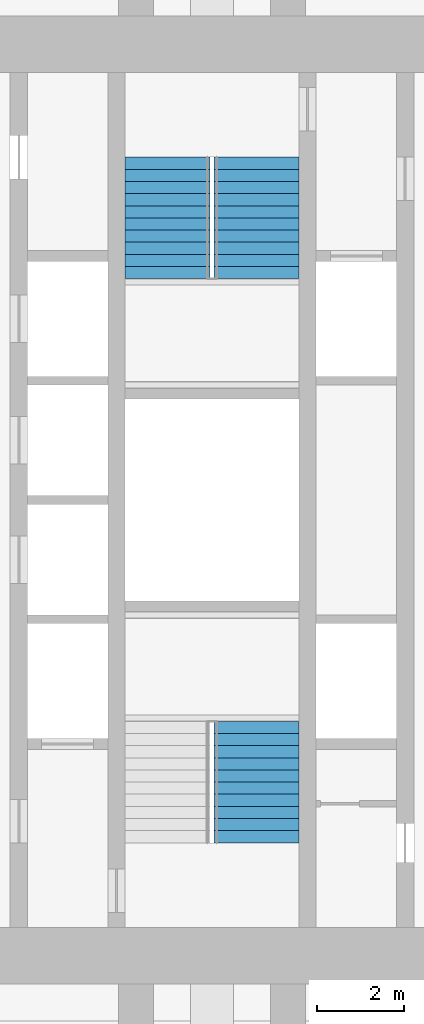
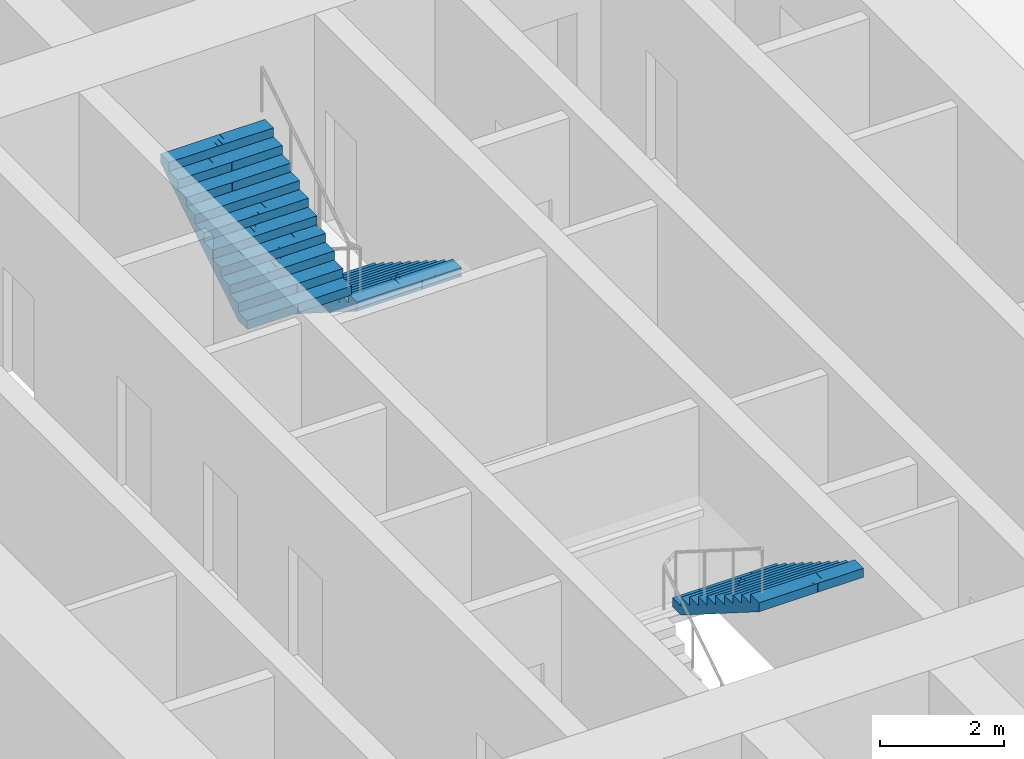
# One storey, part 20 of 21: 3 stair flights, 2 elements without a shape of their own.
"""IFC4 building model written with IfcOpenShell, lengths in metres."""

from ifc_helpers import new_model, si_unit, direction, frame, origin, place, context, subcontext, project, spatial, polyline, outline, extrude, material, type_object, element, aggregate, save


model = new_model("IFC4")

# Units and contexts
model_context = context("Model", 3, precision=1e-05, world=origin(), true_north=direction((0.0, 1.0)))
body_context = subcontext(model_context, "Body", "Model", "MODEL_VIEW")
ifc_project = project(units=[si_unit("LENGTHUNIT", "METRE"), si_unit("AREAUNIT", "SQUARE_METRE"), si_unit("VOLUMEUNIT", "CUBIC_METRE"), si_unit("PLANEANGLEUNIT", "RADIAN"), si_unit("MASSUNIT", "GRAM", prefix="KILO")], contexts=[model_context])

# Site, building, storey
site_placement = place(None, origin())
site = spatial("IfcSite", under=ifc_project, at=site_placement, CompositionType="ELEMENT")
building_placement = place(site_placement, origin())
building = spatial("IfcBuilding", under=site, at=building_placement, Name="Mizan Broadcast Tower", CompositionType="ELEMENT")
storey_placement = place(building_placement, frame((0.0, 0.0, 124.199951171875)))
storey = spatial("IfcBuildingStorey", under=building, at=storey_placement, Name="L27", CompositionType="ELEMENT", Elevation=124.199951171875)

# Stair, stair flight
ifc_material_1 = material(Name="Concrete C40/50", Category="concrete")
stair_type = type_object("IfcStairType", Name="EXIT STAIR", PredefinedType="HALF_TURN_STAIR", material=ifc_material_1)
stair_1_placement = place(storey_placement, origin())
stair_1 = element("IfcStair", 1, at=stair_1_placement, inside=storey, type_object=stair_type, Name="Stair A L27", PredefinedType="HALF_TURN_STAIR")
ifc_material_2 = material(Name="Concrete C40/50", Category="concrete")
stair_flight_type = type_object("IfcStairFlightType", Name="EXIT STAIR FLIGHT", PredefinedType="STRAIGHT", material=ifc_material_2)
stair_flight_1_placement = place(storey_placement, frame((1.02490234375, -5.10009765625, 1.949951171875), z_axis=(0.0, 0.0, 1.0), x_axis=(0.0, -1.0, 0.0)))
stair_flight_1 = element("IfcStairFlight", 2, at=stair_flight_1_placement, type_object=stair_flight_type, Name="A flight 2", NumberOfRisers=11, NumberOfTreads=10, PredefinedType="STRAIGHT", RiserHeight=0.177272727, TreadLength=0.28, context=body_context, shape_type="SweptSolid", body=[
    extrude(outline(polyline([(0.0, 0.0), (0.0, 0.17724609375), (0.280029296875, 0.17724609375), (0.280029296875, 0.3544921875), (0.56005859375, 0.3544921875), (0.56005859375, 0.53173828125), (0.840087890625, 0.53173828125), (0.840087890625, 0.708984375), (1.1201171875, 0.708984375), (1.1201171875, 0.886474609375), (1.39990234375, 0.886474609375), (1.39990234375, 1.063720703125), (1.679931640625, 1.063720703125), (1.679931640625, 1.240966796875), (1.9599609375, 1.240966796875), (1.9599609375, 1.418212890625), (2.239990234375, 1.418212890625), (2.239990234375, 1.595458984375), (2.52001953125, 1.595458984375), (2.52001953125, 1.772705078125), (2.800048828125, 1.772705078125), (2.800048828125, 1.949951171875), (2.800048828125, 1.59521484375), (0.2802734375, 0.0), (0.0, 0.0)])), frame((0.0, 0.97509765625, 0.0), z_axis=(0.0, -1.0, 0.0), x_axis=(1.0, 0.0, 0.0)), (0.0, 0.0, 1.0), 0.4873046875),
    extrude(outline(polyline([(0.0, 0.0), (0.0, 0.17724609375), (0.280029296875, 0.17724609375), (0.280029296875, 0.3544921875), (0.56005859375, 0.3544921875), (0.56005859375, 0.53173828125), (0.840087890625, 0.53173828125), (0.840087890625, 0.708984375), (1.1201171875, 0.708984375), (1.1201171875, 0.886474609375), (1.39990234375, 0.886474609375), (1.39990234375, 1.063720703125), (1.679931640625, 1.063720703125), (1.679931640625, 1.240966796875), (1.9599609375, 1.240966796875), (1.9599609375, 1.418212890625), (2.239990234375, 1.418212890625), (2.239990234375, 1.595458984375), (2.52001953125, 1.595458984375), (2.52001953125, 1.772705078125), (2.800048828125, 1.772705078125), (2.800048828125, 1.949951171875), (2.800048828125, 1.59521484375), (0.2802734375, 0.0), (0.0, 0.0)])), frame((0.0, 0.4873046875, 0.0), z_axis=(0.0, -1.0, 0.0), x_axis=(1.0, 0.0, 0.0)), (0.0, 0.0, 1.0), 0.2431640625),
    extrude(outline(polyline([(0.0, 0.0), (0.0, 0.17724609375), (0.280029296875, 0.17724609375), (0.280029296875, 0.3544921875), (0.56005859375, 0.3544921875), (0.56005859375, 0.53173828125), (0.840087890625, 0.53173828125), (0.840087890625, 0.708984375), (1.1201171875, 0.708984375), (1.1201171875, 0.886474609375), (1.39990234375, 0.886474609375), (1.39990234375, 1.063720703125), (1.679931640625, 1.063720703125), (1.679931640625, 1.240966796875), (1.9599609375, 1.240966796875), (1.9599609375, 1.418212890625), (2.239990234375, 1.418212890625), (2.239990234375, 1.595458984375), (2.52001953125, 1.595458984375), (2.52001953125, 1.772705078125), (2.800048828125, 1.772705078125), (2.800048828125, 1.949951171875), (2.800048828125, 1.59521484375), (0.2802734375, 0.0), (0.0, 0.0)])), frame((0.0, 0.24365234375, 0.0), z_axis=(0.0, -1.0, 0.0), x_axis=(1.0, 0.0, 0.0)), (0.0, 0.0, 1.0), 0.121337890625),
    extrude(outline(polyline([(0.0, 0.0), (0.0, 0.17724609375), (0.280029296875, 0.17724609375), (0.280029296875, 0.3544921875), (0.56005859375, 0.3544921875), (0.56005859375, 0.53173828125), (0.840087890625, 0.53173828125), (0.840087890625, 0.708984375), (1.1201171875, 0.708984375), (1.1201171875, 0.886474609375), (1.39990234375, 0.886474609375), (1.39990234375, 1.063720703125), (1.679931640625, 1.063720703125), (1.679931640625, 1.240966796875), (1.9599609375, 1.240966796875), (1.9599609375, 1.418212890625), (2.239990234375, 1.418212890625), (2.239990234375, 1.595458984375), (2.52001953125, 1.595458984375), (2.52001953125, 1.772705078125), (2.800048828125, 1.772705078125), (2.800048828125, 1.949951171875), (2.800048828125, 1.59521484375), (0.2802734375, 0.0), (0.0, 0.0)])), frame((0.0, 0.121826171875, 0.0), z_axis=(0.0, -1.0, 0.0), x_axis=(1.0, 0.0, 0.0)), (0.0, 0.0, 1.0), 0.060546875),
    extrude(outline(polyline([(0.0, 0.0), (0.0, 0.17724609375), (0.280029296875, 0.17724609375), (0.280029296875, 0.3544921875), (0.56005859375, 0.3544921875), (0.56005859375, 0.53173828125), (0.840087890625, 0.53173828125), (0.840087890625, 0.708984375), (1.1201171875, 0.708984375), (1.1201171875, 0.886474609375), (1.39990234375, 0.886474609375), (1.39990234375, 1.063720703125), (1.679931640625, 1.063720703125), (1.679931640625, 1.240966796875), (1.9599609375, 1.240966796875), (1.9599609375, 1.418212890625), (2.239990234375, 1.418212890625), (2.239990234375, 1.595458984375), (2.52001953125, 1.595458984375), (2.52001953125, 1.772705078125), (2.800048828125, 1.772705078125), (2.800048828125, 1.949951171875), (2.800048828125, 1.59521484375), (0.2802734375, 0.0), (0.0, 0.0)])), frame((0.0, 0.060791015625, 0.0), z_axis=(0.0, -1.0, 0.0), x_axis=(1.0, 0.0, 0.0)), (0.0, 0.0, 1.0), 0.030029296875),
    extrude(outline(polyline([(0.0, 0.0), (0.0, 0.17724609375), (0.280029296875, 0.17724609375), (0.280029296875, 0.3544921875), (0.56005859375, 0.3544921875), (0.56005859375, 0.53173828125), (0.840087890625, 0.53173828125), (0.840087890625, 0.708984375), (1.1201171875, 0.708984375), (1.1201171875, 0.886474609375), (1.39990234375, 0.886474609375), (1.39990234375, 1.063720703125), (1.679931640625, 1.063720703125), (1.679931640625, 1.240966796875), (1.9599609375, 1.240966796875), (1.9599609375, 1.418212890625), (2.239990234375, 1.418212890625), (2.239990234375, 1.595458984375), (2.52001953125, 1.595458984375), (2.52001953125, 1.772705078125), (2.800048828125, 1.772705078125), (2.800048828125, 1.949951171875), (2.800048828125, 1.59521484375), (0.2802734375, 0.0), (0.0, 0.0)])), frame((0.0, 0.0302734375, 0.0), z_axis=(0.0, -1.0, 0.0), x_axis=(1.0, 0.0, 0.0)), (0.0, 0.0, 1.0), 0.060302734375),
    extrude(outline(polyline([(0.0, 0.0), (0.0, 0.17724609375), (0.280029296875, 0.17724609375), (0.280029296875, 0.3544921875), (0.56005859375, 0.3544921875), (0.56005859375, 0.53173828125), (0.840087890625, 0.53173828125), (0.840087890625, 0.708984375), (1.1201171875, 0.708984375), (1.1201171875, 0.886474609375), (1.39990234375, 0.886474609375), (1.39990234375, 1.063720703125), (1.679931640625, 1.063720703125), (1.679931640625, 1.240966796875), (1.9599609375, 1.240966796875), (1.9599609375, 1.418212890625), (2.239990234375, 1.418212890625), (2.239990234375, 1.595458984375), (2.52001953125, 1.595458984375), (2.52001953125, 1.772705078125), (2.800048828125, 1.772705078125), (2.800048828125, 1.949951171875), (2.800048828125, 1.59521484375), (0.2802734375, 0.0), (0.0, 0.0)])), frame((0.0, -0.030517578125, 0.0), z_axis=(0.0, -1.0, 0.0), x_axis=(1.0, 0.0, 0.0)), (0.0, 0.0, 1.0), 0.030029296875),
    extrude(outline(polyline([(0.0, 0.0), (0.0, 0.17724609375), (0.280029296875, 0.17724609375), (0.280029296875, 0.3544921875), (0.56005859375, 0.3544921875), (0.56005859375, 0.53173828125), (0.840087890625, 0.53173828125), (0.840087890625, 0.708984375), (1.1201171875, 0.708984375), (1.1201171875, 0.886474609375), (1.39990234375, 0.886474609375), (1.39990234375, 1.063720703125), (1.679931640625, 1.063720703125), (1.679931640625, 1.240966796875), (1.9599609375, 1.240966796875), (1.9599609375, 1.418212890625), (2.239990234375, 1.418212890625), (2.239990234375, 1.595458984375), (2.52001953125, 1.595458984375), (2.52001953125, 1.772705078125), (2.800048828125, 1.772705078125), (2.800048828125, 1.949951171875), (2.800048828125, 1.59521484375), (0.2802734375, 0.0), (0.0, 0.0)])), frame((0.0, -0.06103515625, 0.0), z_axis=(0.0, -1.0, 0.0), x_axis=(1.0, 0.0, 0.0)), (0.0, 0.0, 1.0), 0.060546875),
    extrude(outline(polyline([(0.0, 0.0), (0.0, 0.17724609375), (0.280029296875, 0.17724609375), (0.280029296875, 0.3544921875), (0.56005859375, 0.3544921875), (0.56005859375, 0.53173828125), (0.840087890625, 0.53173828125), (0.840087890625, 0.708984375), (1.1201171875, 0.708984375), (1.1201171875, 0.886474609375), (1.39990234375, 0.886474609375), (1.39990234375, 1.063720703125), (1.679931640625, 1.063720703125), (1.679931640625, 1.240966796875), (1.9599609375, 1.240966796875), (1.9599609375, 1.418212890625), (2.239990234375, 1.418212890625), (2.239990234375, 1.595458984375), (2.52001953125, 1.595458984375), (2.52001953125, 1.772705078125), (2.800048828125, 1.772705078125), (2.800048828125, 1.949951171875), (2.800048828125, 1.59521484375), (0.2802734375, 0.0), (0.0, 0.0)])), frame((0.0, -0.1220703125, 0.0), z_axis=(0.0, -1.0, 0.0), x_axis=(1.0, 0.0, 0.0)), (0.0, 0.0, 1.0), 0.121337890625),
    extrude(outline(polyline([(0.0, 0.0), (0.0, 0.17724609375), (0.280029296875, 0.17724609375), (0.280029296875, 0.3544921875), (0.56005859375, 0.3544921875), (0.56005859375, 0.53173828125), (0.840087890625, 0.53173828125), (0.840087890625, 0.708984375), (1.1201171875, 0.708984375), (1.1201171875, 0.886474609375), (1.39990234375, 0.886474609375), (1.39990234375, 1.063720703125), (1.679931640625, 1.063720703125), (1.679931640625, 1.240966796875), (1.9599609375, 1.240966796875), (1.9599609375, 1.418212890625), (2.239990234375, 1.418212890625), (2.239990234375, 1.595458984375), (2.52001953125, 1.595458984375), (2.52001953125, 1.772705078125), (2.800048828125, 1.772705078125), (2.800048828125, 1.949951171875), (2.800048828125, 1.59521484375), (0.2802734375, 0.0), (0.0, 0.0)])), frame((0.0, -0.243896484375, 0.0), z_axis=(0.0, -1.0, 0.0), x_axis=(1.0, 0.0, 0.0)), (0.0, 0.0, 1.0), 0.2431640625),
    extrude(outline(polyline([(0.0, 0.0), (0.0, 0.17724609375), (0.280029296875, 0.17724609375), (0.280029296875, 0.3544921875), (0.56005859375, 0.3544921875), (0.56005859375, 0.53173828125), (0.840087890625, 0.53173828125), (0.840087890625, 0.708984375), (1.1201171875, 0.708984375), (1.1201171875, 0.886474609375), (1.39990234375, 0.886474609375), (1.39990234375, 1.063720703125), (1.679931640625, 1.063720703125), (1.679931640625, 1.240966796875), (1.9599609375, 1.240966796875), (1.9599609375, 1.418212890625), (2.239990234375, 1.418212890625), (2.239990234375, 1.595458984375), (2.52001953125, 1.595458984375), (2.52001953125, 1.772705078125), (2.800048828125, 1.772705078125), (2.800048828125, 1.949951171875), (2.800048828125, 1.59521484375), (0.2802734375, 0.0), (0.0, 0.0)])), frame((0.0, -0.487548828125, 0.0), z_axis=(0.0, -1.0, 0.0), x_axis=(1.0, 0.0, 0.0)), (0.0, 0.0, 1.0), 0.4873046875),
])
aggregate(stair_1, [stair_flight_1])

# Stair, stair flights
stair_2_placement = place(storey_placement, origin())
stair_2 = element("IfcStair", 3, at=stair_2_placement, inside=storey, type_object=stair_type, Name="Stair B L27", PredefinedType="HALF_TURN_STAIR")
stair_flight_2_placement = place(storey_placement, frame((1.02490234375, 7.89990234375, 0.0), z_axis=(0.0, 0.0, 1.0), x_axis=(0.0, -1.0, 0.0)))
stair_flight_2 = element("IfcStairFlight", 4, at=stair_flight_2_placement, type_object=stair_flight_type, Name="B flight 1", NumberOfRisers=11, NumberOfTreads=10, PredefinedType="STRAIGHT", RiserHeight=0.177272727, TreadLength=0.28, context=body_context, shape_type="SweptSolid", body=[
    extrude(outline(polyline([(0.0, 0.0), (0.0, 0.17724609375), (0.280029296875, 0.17724609375), (0.280029296875, 0.3544921875), (0.56005859375, 0.3544921875), (0.56005859375, 0.53173828125), (0.840087890625, 0.53173828125), (0.840087890625, 0.708984375), (1.1201171875, 0.708984375), (1.1201171875, 0.886474609375), (1.39990234375, 0.886474609375), (1.39990234375, 1.063720703125), (1.679931640625, 1.063720703125), (1.679931640625, 1.240966796875), (1.9599609375, 1.240966796875), (1.9599609375, 1.418212890625), (2.239990234375, 1.418212890625), (2.239990234375, 1.595458984375), (2.52001953125, 1.595458984375), (2.52001953125, 1.772705078125), (2.800048828125, 1.772705078125), (2.800048828125, 1.949951171875), (2.800048828125, 1.59521484375), (0.2802734375, 0.0), (0.0, 0.0)])), frame((0.0, 0.97509765625, 0.0), z_axis=(0.0, -1.0, 0.0), x_axis=(1.0, 0.0, 0.0)), (0.0, 0.0, 1.0), 0.4873046875),
    extrude(outline(polyline([(0.0, 0.0), (0.0, 0.17724609375), (0.280029296875, 0.17724609375), (0.280029296875, 0.3544921875), (0.56005859375, 0.3544921875), (0.56005859375, 0.53173828125), (0.840087890625, 0.53173828125), (0.840087890625, 0.708984375), (1.1201171875, 0.708984375), (1.1201171875, 0.886474609375), (1.39990234375, 0.886474609375), (1.39990234375, 1.063720703125), (1.679931640625, 1.063720703125), (1.679931640625, 1.240966796875), (1.9599609375, 1.240966796875), (1.9599609375, 1.418212890625), (2.239990234375, 1.418212890625), (2.239990234375, 1.595458984375), (2.52001953125, 1.595458984375), (2.52001953125, 1.772705078125), (2.800048828125, 1.772705078125), (2.800048828125, 1.949951171875), (2.800048828125, 1.59521484375), (0.2802734375, 0.0), (0.0, 0.0)])), frame((0.0, 0.4873046875, 0.0), z_axis=(0.0, -1.0, 0.0), x_axis=(1.0, 0.0, 0.0)), (0.0, 0.0, 1.0), 0.2431640625),
    extrude(outline(polyline([(0.0, 0.0), (0.0, 0.17724609375), (0.280029296875, 0.17724609375), (0.280029296875, 0.3544921875), (0.56005859375, 0.3544921875), (0.56005859375, 0.53173828125), (0.840087890625, 0.53173828125), (0.840087890625, 0.708984375), (1.1201171875, 0.708984375), (1.1201171875, 0.886474609375), (1.39990234375, 0.886474609375), (1.39990234375, 1.063720703125), (1.679931640625, 1.063720703125), (1.679931640625, 1.240966796875), (1.9599609375, 1.240966796875), (1.9599609375, 1.418212890625), (2.239990234375, 1.418212890625), (2.239990234375, 1.595458984375), (2.52001953125, 1.595458984375), (2.52001953125, 1.772705078125), (2.800048828125, 1.772705078125), (2.800048828125, 1.949951171875), (2.800048828125, 1.59521484375), (0.2802734375, 0.0), (0.0, 0.0)])), frame((0.0, 0.24365234375, 0.0), z_axis=(0.0, -1.0, 0.0), x_axis=(1.0, 0.0, 0.0)), (0.0, 0.0, 1.0), 0.121337890625),
    extrude(outline(polyline([(0.0, 0.0), (0.0, 0.17724609375), (0.280029296875, 0.17724609375), (0.280029296875, 0.3544921875), (0.56005859375, 0.3544921875), (0.56005859375, 0.53173828125), (0.840087890625, 0.53173828125), (0.840087890625, 0.708984375), (1.1201171875, 0.708984375), (1.1201171875, 0.886474609375), (1.39990234375, 0.886474609375), (1.39990234375, 1.063720703125), (1.679931640625, 1.063720703125), (1.679931640625, 1.240966796875), (1.9599609375, 1.240966796875), (1.9599609375, 1.418212890625), (2.239990234375, 1.418212890625), (2.239990234375, 1.595458984375), (2.52001953125, 1.595458984375), (2.52001953125, 1.772705078125), (2.800048828125, 1.772705078125), (2.800048828125, 1.949951171875), (2.800048828125, 1.59521484375), (0.2802734375, 0.0), (0.0, 0.0)])), frame((0.0, 0.121826171875, 0.0), z_axis=(0.0, -1.0, 0.0), x_axis=(1.0, 0.0, 0.0)), (0.0, 0.0, 1.0), 0.060546875),
    extrude(outline(polyline([(0.0, 0.0), (0.0, 0.17724609375), (0.280029296875, 0.17724609375), (0.280029296875, 0.3544921875), (0.56005859375, 0.3544921875), (0.56005859375, 0.53173828125), (0.840087890625, 0.53173828125), (0.840087890625, 0.708984375), (1.1201171875, 0.708984375), (1.1201171875, 0.886474609375), (1.39990234375, 0.886474609375), (1.39990234375, 1.063720703125), (1.679931640625, 1.063720703125), (1.679931640625, 1.240966796875), (1.9599609375, 1.240966796875), (1.9599609375, 1.418212890625), (2.239990234375, 1.418212890625), (2.239990234375, 1.595458984375), (2.52001953125, 1.595458984375), (2.52001953125, 1.772705078125), (2.800048828125, 1.772705078125), (2.800048828125, 1.949951171875), (2.800048828125, 1.59521484375), (0.2802734375, 0.0), (0.0, 0.0)])), frame((0.0, 0.060791015625, 0.0), z_axis=(0.0, -1.0, 0.0), x_axis=(1.0, 0.0, 0.0)), (0.0, 0.0, 1.0), 0.030029296875),
    extrude(outline(polyline([(0.0, 0.0), (0.0, 0.17724609375), (0.280029296875, 0.17724609375), (0.280029296875, 0.3544921875), (0.56005859375, 0.3544921875), (0.56005859375, 0.53173828125), (0.840087890625, 0.53173828125), (0.840087890625, 0.708984375), (1.1201171875, 0.708984375), (1.1201171875, 0.886474609375), (1.39990234375, 0.886474609375), (1.39990234375, 1.063720703125), (1.679931640625, 1.063720703125), (1.679931640625, 1.240966796875), (1.9599609375, 1.240966796875), (1.9599609375, 1.418212890625), (2.239990234375, 1.418212890625), (2.239990234375, 1.595458984375), (2.52001953125, 1.595458984375), (2.52001953125, 1.772705078125), (2.800048828125, 1.772705078125), (2.800048828125, 1.949951171875), (2.800048828125, 1.59521484375), (0.2802734375, 0.0), (0.0, 0.0)])), frame((0.0, 0.0302734375, 0.0), z_axis=(0.0, -1.0, 0.0), x_axis=(1.0, 0.0, 0.0)), (0.0, 0.0, 1.0), 0.060302734375),
    extrude(outline(polyline([(0.0, 0.0), (0.0, 0.17724609375), (0.280029296875, 0.17724609375), (0.280029296875, 0.3544921875), (0.56005859375, 0.3544921875), (0.56005859375, 0.53173828125), (0.840087890625, 0.53173828125), (0.840087890625, 0.708984375), (1.1201171875, 0.708984375), (1.1201171875, 0.886474609375), (1.39990234375, 0.886474609375), (1.39990234375, 1.063720703125), (1.679931640625, 1.063720703125), (1.679931640625, 1.240966796875), (1.9599609375, 1.240966796875), (1.9599609375, 1.418212890625), (2.239990234375, 1.418212890625), (2.239990234375, 1.595458984375), (2.52001953125, 1.595458984375), (2.52001953125, 1.772705078125), (2.800048828125, 1.772705078125), (2.800048828125, 1.949951171875), (2.800048828125, 1.59521484375), (0.2802734375, 0.0), (0.0, 0.0)])), frame((0.0, -0.030517578125, 0.0), z_axis=(0.0, -1.0, 0.0), x_axis=(1.0, 0.0, 0.0)), (0.0, 0.0, 1.0), 0.030029296875),
    extrude(outline(polyline([(0.0, 0.0), (0.0, 0.17724609375), (0.280029296875, 0.17724609375), (0.280029296875, 0.3544921875), (0.56005859375, 0.3544921875), (0.56005859375, 0.53173828125), (0.840087890625, 0.53173828125), (0.840087890625, 0.708984375), (1.1201171875, 0.708984375), (1.1201171875, 0.886474609375), (1.39990234375, 0.886474609375), (1.39990234375, 1.063720703125), (1.679931640625, 1.063720703125), (1.679931640625, 1.240966796875), (1.9599609375, 1.240966796875), (1.9599609375, 1.418212890625), (2.239990234375, 1.418212890625), (2.239990234375, 1.595458984375), (2.52001953125, 1.595458984375), (2.52001953125, 1.772705078125), (2.800048828125, 1.772705078125), (2.800048828125, 1.949951171875), (2.800048828125, 1.59521484375), (0.2802734375, 0.0), (0.0, 0.0)])), frame((0.0, -0.06103515625, 0.0), z_axis=(0.0, -1.0, 0.0), x_axis=(1.0, 0.0, 0.0)), (0.0, 0.0, 1.0), 0.060546875),
    extrude(outline(polyline([(0.0, 0.0), (0.0, 0.17724609375), (0.280029296875, 0.17724609375), (0.280029296875, 0.3544921875), (0.56005859375, 0.3544921875), (0.56005859375, 0.53173828125), (0.840087890625, 0.53173828125), (0.840087890625, 0.708984375), (1.1201171875, 0.708984375), (1.1201171875, 0.886474609375), (1.39990234375, 0.886474609375), (1.39990234375, 1.063720703125), (1.679931640625, 1.063720703125), (1.679931640625, 1.240966796875), (1.9599609375, 1.240966796875), (1.9599609375, 1.418212890625), (2.239990234375, 1.418212890625), (2.239990234375, 1.595458984375), (2.52001953125, 1.595458984375), (2.52001953125, 1.772705078125), (2.800048828125, 1.772705078125), (2.800048828125, 1.949951171875), (2.800048828125, 1.59521484375), (0.2802734375, 0.0), (0.0, 0.0)])), frame((0.0, -0.1220703125, 0.0), z_axis=(0.0, -1.0, 0.0), x_axis=(1.0, 0.0, 0.0)), (0.0, 0.0, 1.0), 0.121337890625),
    extrude(outline(polyline([(0.0, 0.0), (0.0, 0.17724609375), (0.280029296875, 0.17724609375), (0.280029296875, 0.3544921875), (0.56005859375, 0.3544921875), (0.56005859375, 0.53173828125), (0.840087890625, 0.53173828125), (0.840087890625, 0.708984375), (1.1201171875, 0.708984375), (1.1201171875, 0.886474609375), (1.39990234375, 0.886474609375), (1.39990234375, 1.063720703125), (1.679931640625, 1.063720703125), (1.679931640625, 1.240966796875), (1.9599609375, 1.240966796875), (1.9599609375, 1.418212890625), (2.239990234375, 1.418212890625), (2.239990234375, 1.595458984375), (2.52001953125, 1.595458984375), (2.52001953125, 1.772705078125), (2.800048828125, 1.772705078125), (2.800048828125, 1.949951171875), (2.800048828125, 1.59521484375), (0.2802734375, 0.0), (0.0, 0.0)])), frame((0.0, -0.243896484375, 0.0), z_axis=(0.0, -1.0, 0.0), x_axis=(1.0, 0.0, 0.0)), (0.0, 0.0, 1.0), 0.2431640625),
    extrude(outline(polyline([(0.0, 0.0), (0.0, 0.17724609375), (0.280029296875, 0.17724609375), (0.280029296875, 0.3544921875), (0.56005859375, 0.3544921875), (0.56005859375, 0.53173828125), (0.840087890625, 0.53173828125), (0.840087890625, 0.708984375), (1.1201171875, 0.708984375), (1.1201171875, 0.886474609375), (1.39990234375, 0.886474609375), (1.39990234375, 1.063720703125), (1.679931640625, 1.063720703125), (1.679931640625, 1.240966796875), (1.9599609375, 1.240966796875), (1.9599609375, 1.418212890625), (2.239990234375, 1.418212890625), (2.239990234375, 1.595458984375), (2.52001953125, 1.595458984375), (2.52001953125, 1.772705078125), (2.800048828125, 1.772705078125), (2.800048828125, 1.949951171875), (2.800048828125, 1.59521484375), (0.2802734375, 0.0), (0.0, 0.0)])), frame((0.0, -0.487548828125, 0.0), z_axis=(0.0, -1.0, 0.0), x_axis=(1.0, 0.0, 0.0)), (0.0, 0.0, 1.0), 0.4873046875),
])
stair_flight_3_placement = place(storey_placement, frame((-1.02490234375, 5.10009765625, 1.949951171875), z_axis=(0.0, 0.0, 1.0), x_axis=(0.0, 1.0, 0.0)))
stair_flight_3 = element("IfcStairFlight", 5, at=stair_flight_3_placement, type_object=stair_flight_type, Name="B flight 2", NumberOfRisers=11, NumberOfTreads=10, PredefinedType="STRAIGHT", RiserHeight=0.177272727, TreadLength=0.28, context=body_context, shape_type="SweptSolid", body=[
    extrude(outline(polyline([(0.0, 0.0), (0.0, 0.17724609375), (0.280029296875, 0.17724609375), (0.280029296875, 0.3544921875), (0.56005859375, 0.3544921875), (0.56005859375, 0.53173828125), (0.840087890625, 0.53173828125), (0.840087890625, 0.708984375), (1.1201171875, 0.708984375), (1.1201171875, 0.886474609375), (1.39990234375, 0.886474609375), (1.39990234375, 1.063720703125), (1.679931640625, 1.063720703125), (1.679931640625, 1.240966796875), (1.9599609375, 1.240966796875), (1.9599609375, 1.418212890625), (2.239990234375, 1.418212890625), (2.239990234375, 1.595458984375), (2.52001953125, 1.595458984375), (2.52001953125, 1.772705078125), (2.800048828125, 1.772705078125), (2.800048828125, 1.949951171875), (2.800048828125, 1.59521484375), (0.2802734375, 0.0), (0.0, 0.0)])), frame((0.0, 0.97509765625, 0.0), z_axis=(0.0, -1.0, 0.0), x_axis=(1.0, 0.0, 0.0)), (0.0, 0.0, 1.0), 0.4873046875),
    extrude(outline(polyline([(0.0, 0.0), (0.0, 0.17724609375), (0.280029296875, 0.17724609375), (0.280029296875, 0.3544921875), (0.56005859375, 0.3544921875), (0.56005859375, 0.53173828125), (0.840087890625, 0.53173828125), (0.840087890625, 0.708984375), (1.1201171875, 0.708984375), (1.1201171875, 0.886474609375), (1.39990234375, 0.886474609375), (1.39990234375, 1.063720703125), (1.679931640625, 1.063720703125), (1.679931640625, 1.240966796875), (1.9599609375, 1.240966796875), (1.9599609375, 1.418212890625), (2.239990234375, 1.418212890625), (2.239990234375, 1.595458984375), (2.52001953125, 1.595458984375), (2.52001953125, 1.772705078125), (2.800048828125, 1.772705078125), (2.800048828125, 1.949951171875), (2.800048828125, 1.59521484375), (0.2802734375, 0.0), (0.0, 0.0)])), frame((0.0, 0.4873046875, 0.0), z_axis=(0.0, -1.0, 0.0), x_axis=(1.0, 0.0, 0.0)), (0.0, 0.0, 1.0), 0.2431640625),
    extrude(outline(polyline([(0.0, 0.0), (0.0, 0.17724609375), (0.280029296875, 0.17724609375), (0.280029296875, 0.3544921875), (0.56005859375, 0.3544921875), (0.56005859375, 0.53173828125), (0.840087890625, 0.53173828125), (0.840087890625, 0.708984375), (1.1201171875, 0.708984375), (1.1201171875, 0.886474609375), (1.39990234375, 0.886474609375), (1.39990234375, 1.063720703125), (1.679931640625, 1.063720703125), (1.679931640625, 1.240966796875), (1.9599609375, 1.240966796875), (1.9599609375, 1.418212890625), (2.239990234375, 1.418212890625), (2.239990234375, 1.595458984375), (2.52001953125, 1.595458984375), (2.52001953125, 1.772705078125), (2.800048828125, 1.772705078125), (2.800048828125, 1.949951171875), (2.800048828125, 1.59521484375), (0.2802734375, 0.0), (0.0, 0.0)])), frame((0.0, 0.24365234375, 0.0), z_axis=(0.0, -1.0, 0.0), x_axis=(1.0, 0.0, 0.0)), (0.0, 0.0, 1.0), 0.121337890625),
    extrude(outline(polyline([(0.0, 0.0), (0.0, 0.17724609375), (0.280029296875, 0.17724609375), (0.280029296875, 0.3544921875), (0.56005859375, 0.3544921875), (0.56005859375, 0.53173828125), (0.840087890625, 0.53173828125), (0.840087890625, 0.708984375), (1.1201171875, 0.708984375), (1.1201171875, 0.886474609375), (1.39990234375, 0.886474609375), (1.39990234375, 1.063720703125), (1.679931640625, 1.063720703125), (1.679931640625, 1.240966796875), (1.9599609375, 1.240966796875), (1.9599609375, 1.418212890625), (2.239990234375, 1.418212890625), (2.239990234375, 1.595458984375), (2.52001953125, 1.595458984375), (2.52001953125, 1.772705078125), (2.800048828125, 1.772705078125), (2.800048828125, 1.949951171875), (2.800048828125, 1.59521484375), (0.2802734375, 0.0), (0.0, 0.0)])), frame((0.0, 0.121826171875, 0.0), z_axis=(0.0, -1.0, 0.0), x_axis=(1.0, 0.0, 0.0)), (0.0, 0.0, 1.0), 0.060546875),
    extrude(outline(polyline([(0.0, 0.0), (0.0, 0.17724609375), (0.280029296875, 0.17724609375), (0.280029296875, 0.3544921875), (0.56005859375, 0.3544921875), (0.56005859375, 0.53173828125), (0.840087890625, 0.53173828125), (0.840087890625, 0.708984375), (1.1201171875, 0.708984375), (1.1201171875, 0.886474609375), (1.39990234375, 0.886474609375), (1.39990234375, 1.063720703125), (1.679931640625, 1.063720703125), (1.679931640625, 1.240966796875), (1.9599609375, 1.240966796875), (1.9599609375, 1.418212890625), (2.239990234375, 1.418212890625), (2.239990234375, 1.595458984375), (2.52001953125, 1.595458984375), (2.52001953125, 1.772705078125), (2.800048828125, 1.772705078125), (2.800048828125, 1.949951171875), (2.800048828125, 1.59521484375), (0.2802734375, 0.0), (0.0, 0.0)])), frame((0.0, 0.060791015625, 0.0), z_axis=(0.0, -1.0, 0.0), x_axis=(1.0, 0.0, 0.0)), (0.0, 0.0, 1.0), 0.030029296875),
    extrude(outline(polyline([(0.0, 0.0), (0.0, 0.17724609375), (0.280029296875, 0.17724609375), (0.280029296875, 0.3544921875), (0.56005859375, 0.3544921875), (0.56005859375, 0.53173828125), (0.840087890625, 0.53173828125), (0.840087890625, 0.708984375), (1.1201171875, 0.708984375), (1.1201171875, 0.886474609375), (1.39990234375, 0.886474609375), (1.39990234375, 1.063720703125), (1.679931640625, 1.063720703125), (1.679931640625, 1.240966796875), (1.9599609375, 1.240966796875), (1.9599609375, 1.418212890625), (2.239990234375, 1.418212890625), (2.239990234375, 1.595458984375), (2.52001953125, 1.595458984375), (2.52001953125, 1.772705078125), (2.800048828125, 1.772705078125), (2.800048828125, 1.949951171875), (2.800048828125, 1.59521484375), (0.2802734375, 0.0), (0.0, 0.0)])), frame((0.0, 0.0302734375, 0.0), z_axis=(0.0, -1.0, 0.0), x_axis=(1.0, 0.0, 0.0)), (0.0, 0.0, 1.0), 0.060302734375),
    extrude(outline(polyline([(0.0, 0.0), (0.0, 0.17724609375), (0.280029296875, 0.17724609375), (0.280029296875, 0.3544921875), (0.56005859375, 0.3544921875), (0.56005859375, 0.53173828125), (0.840087890625, 0.53173828125), (0.840087890625, 0.708984375), (1.1201171875, 0.708984375), (1.1201171875, 0.886474609375), (1.39990234375, 0.886474609375), (1.39990234375, 1.063720703125), (1.679931640625, 1.063720703125), (1.679931640625, 1.240966796875), (1.9599609375, 1.240966796875), (1.9599609375, 1.418212890625), (2.239990234375, 1.418212890625), (2.239990234375, 1.595458984375), (2.52001953125, 1.595458984375), (2.52001953125, 1.772705078125), (2.800048828125, 1.772705078125), (2.800048828125, 1.949951171875), (2.800048828125, 1.59521484375), (0.2802734375, 0.0), (0.0, 0.0)])), frame((0.0, -0.030517578125, 0.0), z_axis=(0.0, -1.0, 0.0), x_axis=(1.0, 0.0, 0.0)), (0.0, 0.0, 1.0), 0.030029296875),
    extrude(outline(polyline([(0.0, 0.0), (0.0, 0.17724609375), (0.280029296875, 0.17724609375), (0.280029296875, 0.3544921875), (0.56005859375, 0.3544921875), (0.56005859375, 0.53173828125), (0.840087890625, 0.53173828125), (0.840087890625, 0.708984375), (1.1201171875, 0.708984375), (1.1201171875, 0.886474609375), (1.39990234375, 0.886474609375), (1.39990234375, 1.063720703125), (1.679931640625, 1.063720703125), (1.679931640625, 1.240966796875), (1.9599609375, 1.240966796875), (1.9599609375, 1.418212890625), (2.239990234375, 1.418212890625), (2.239990234375, 1.595458984375), (2.52001953125, 1.595458984375), (2.52001953125, 1.772705078125), (2.800048828125, 1.772705078125), (2.800048828125, 1.949951171875), (2.800048828125, 1.59521484375), (0.2802734375, 0.0), (0.0, 0.0)])), frame((0.0, -0.06103515625, 0.0), z_axis=(0.0, -1.0, 0.0), x_axis=(1.0, 0.0, 0.0)), (0.0, 0.0, 1.0), 0.060546875),
    extrude(outline(polyline([(0.0, 0.0), (0.0, 0.17724609375), (0.280029296875, 0.17724609375), (0.280029296875, 0.3544921875), (0.56005859375, 0.3544921875), (0.56005859375, 0.53173828125), (0.840087890625, 0.53173828125), (0.840087890625, 0.708984375), (1.1201171875, 0.708984375), (1.1201171875, 0.886474609375), (1.39990234375, 0.886474609375), (1.39990234375, 1.063720703125), (1.679931640625, 1.063720703125), (1.679931640625, 1.240966796875), (1.9599609375, 1.240966796875), (1.9599609375, 1.418212890625), (2.239990234375, 1.418212890625), (2.239990234375, 1.595458984375), (2.52001953125, 1.595458984375), (2.52001953125, 1.772705078125), (2.800048828125, 1.772705078125), (2.800048828125, 1.949951171875), (2.800048828125, 1.59521484375), (0.2802734375, 0.0), (0.0, 0.0)])), frame((0.0, -0.1220703125, 0.0), z_axis=(0.0, -1.0, 0.0), x_axis=(1.0, 0.0, 0.0)), (0.0, 0.0, 1.0), 0.121337890625),
    extrude(outline(polyline([(0.0, 0.0), (0.0, 0.17724609375), (0.280029296875, 0.17724609375), (0.280029296875, 0.3544921875), (0.56005859375, 0.3544921875), (0.56005859375, 0.53173828125), (0.840087890625, 0.53173828125), (0.840087890625, 0.708984375), (1.1201171875, 0.708984375), (1.1201171875, 0.886474609375), (1.39990234375, 0.886474609375), (1.39990234375, 1.063720703125), (1.679931640625, 1.063720703125), (1.679931640625, 1.240966796875), (1.9599609375, 1.240966796875), (1.9599609375, 1.418212890625), (2.239990234375, 1.418212890625), (2.239990234375, 1.595458984375), (2.52001953125, 1.595458984375), (2.52001953125, 1.772705078125), (2.800048828125, 1.772705078125), (2.800048828125, 1.949951171875), (2.800048828125, 1.59521484375), (0.2802734375, 0.0), (0.0, 0.0)])), frame((0.0, -0.243896484375, 0.0), z_axis=(0.0, -1.0, 0.0), x_axis=(1.0, 0.0, 0.0)), (0.0, 0.0, 1.0), 0.2431640625),
    extrude(outline(polyline([(0.0, 0.0), (0.0, 0.17724609375), (0.280029296875, 0.17724609375), (0.280029296875, 0.3544921875), (0.56005859375, 0.3544921875), (0.56005859375, 0.53173828125), (0.840087890625, 0.53173828125), (0.840087890625, 0.708984375), (1.1201171875, 0.708984375), (1.1201171875, 0.886474609375), (1.39990234375, 0.886474609375), (1.39990234375, 1.063720703125), (1.679931640625, 1.063720703125), (1.679931640625, 1.240966796875), (1.9599609375, 1.240966796875), (1.9599609375, 1.418212890625), (2.239990234375, 1.418212890625), (2.239990234375, 1.595458984375), (2.52001953125, 1.595458984375), (2.52001953125, 1.772705078125), (2.800048828125, 1.772705078125), (2.800048828125, 1.949951171875), (2.800048828125, 1.59521484375), (0.2802734375, 0.0), (0.0, 0.0)])), frame((0.0, -0.487548828125, 0.0), z_axis=(0.0, -1.0, 0.0), x_axis=(1.0, 0.0, 0.0)), (0.0, 0.0, 1.0), 0.4873046875),
])
aggregate(stair_2, [stair_flight_2, stair_flight_3])

save(model, "model.ifc")
